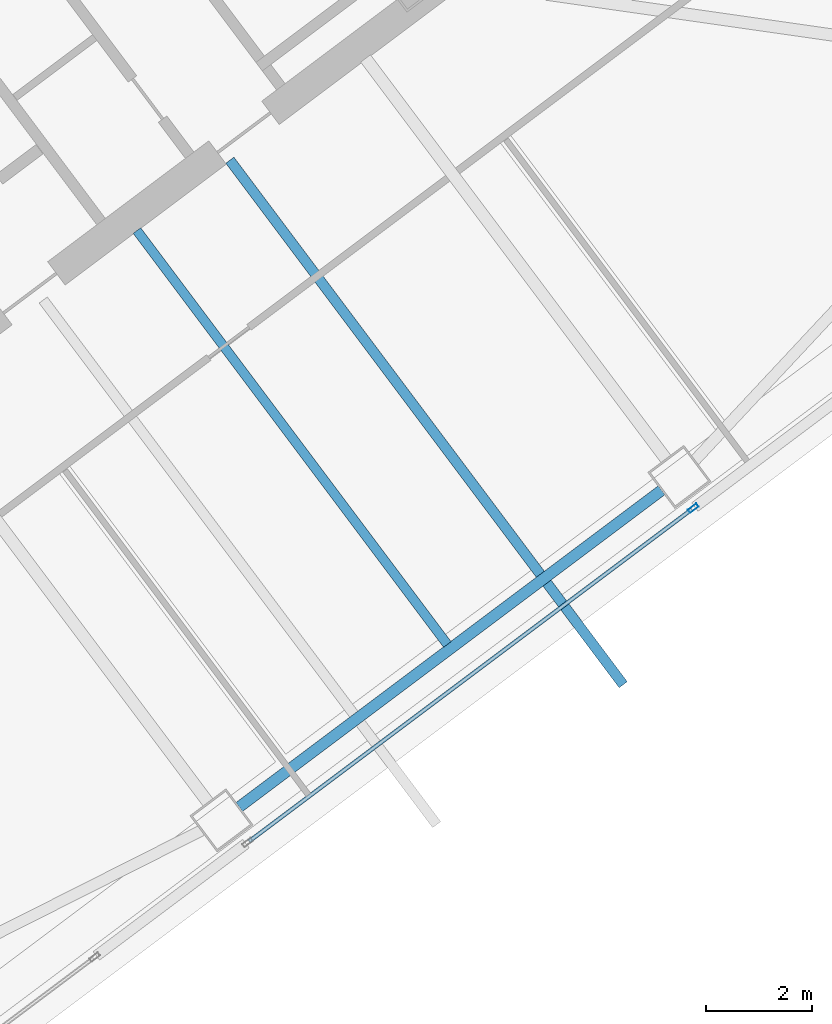
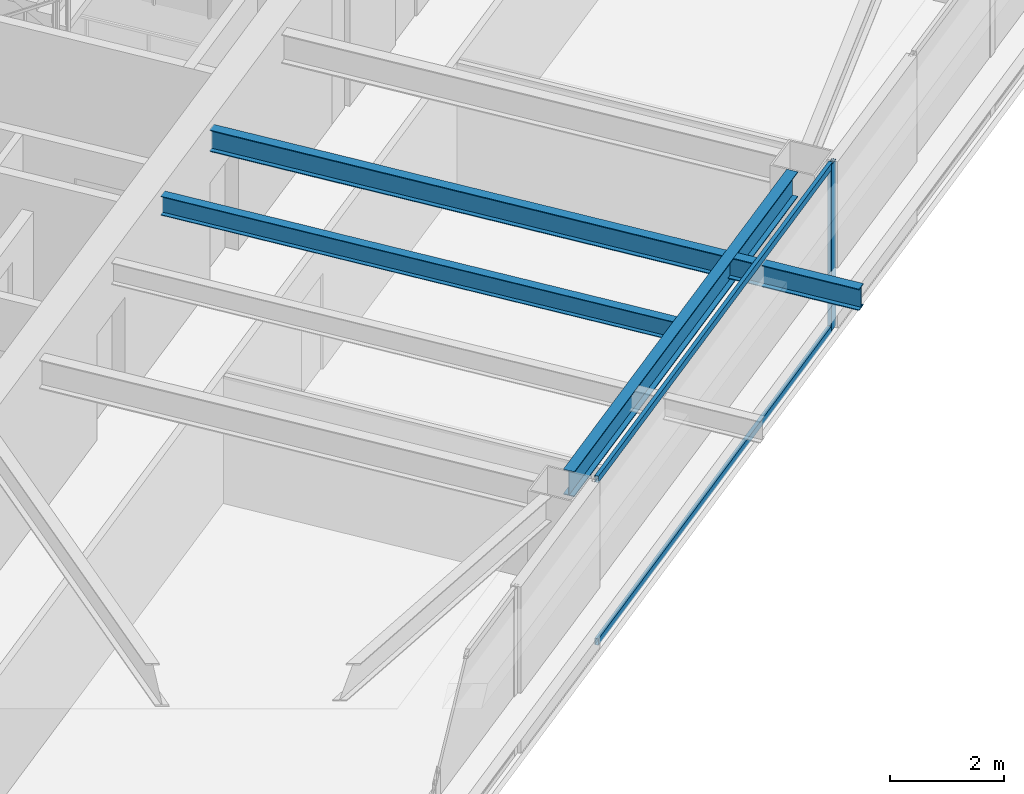
# One storey, part 24 of 46: 3 beams, 3 members, 1 element without a shape of its own.
"""IFC4 building model written with IfcOpenShell, lengths in metres."""

import ifcopenshell
import ifcopenshell.guid

model = None  # the IFC model being written
_history = None  # IfcOwnerHistory: only IFC2X3 demands one
_inside = {}  # id of a spatial element -> (the spatial element, [elements in it])
_under = {}  # id of a project, library or spatial element -> (it, [spatial elements below it])
_declared = {}  # id of a project -> (the project, [libraries it declares])
_typed = {}  # id of a type object -> (the type object, [elements of that type])
_made_of = {}  # id of a material, layer set ... -> (it, [elements and type objects made of it])


def new_model(schema):
    """Start an empty IFC model of exactly this schema.

    Asked for "IFC4X3", IfcOpenShell would pick the latest addendum, in which some entities
    have other attributes; the version numbers below select the first issue.
    IFC2X3 requires an IfcOwnerHistory on every rooted entity: one is made here for all.
    """
    global model, _history
    if schema == "IFC4X3":
        model = ifcopenshell.file(schema_version=(4, 3, 0, 0))
    else:
        model = ifcopenshell.file(schema=schema)
    _inside.clear()
    _under.clear()
    _declared.clear()
    _typed.clear()
    _made_of.clear()
    _history = None
    if model.schema == "IFC2X3":
        org = make("IfcOrganization", Name="unknown")
        user = make(
            "IfcPersonAndOrganization",
            ThePerson=make("IfcPerson", FamilyName="unknown"),
            TheOrganization=org,
        )
        app = make(
            "IfcApplication",
            ApplicationDeveloper=org,
            Version="unknown",
            ApplicationFullName="unknown",
            ApplicationIdentifier="unknown",
        )
        _history = make(
            "IfcOwnerHistory",
            OwningUser=user,
            OwningApplication=app,
            ChangeAction="ADDED",
            CreationDate=0,
        )
    return model


def make(cls, **values):
    """One entity of the class cls with the attributes given. An attribute that is None is left unset."""
    return model.create_entity(
        cls, **{name: value for name, value in values.items() if value is not None}
    )


def rooted(cls, **values):
    """An entity with a GlobalId (a new one), such as an element, a storey or a relation."""
    return make(cls, GlobalId=ifcopenshell.guid.new(), OwnerHistory=_history, **values)


def si_unit(unit_type, name, prefix=None):
    """IfcSIUnit, for example si_unit("LENGTHUNIT", "METRE", prefix="MILLI")."""
    return make("IfcSIUnit", UnitType=unit_type, Prefix=prefix, Name=name)


def assignment(units):
    """IfcUnitAssignment: the units of a project."""
    return None if units is None else make("IfcUnitAssignment", Units=units)


def point(xyz):
    """IfcCartesianPoint."""
    return None if xyz is None else make("IfcCartesianPoint", Coordinates=xyz)


def direction(xyz):
    """IfcDirection."""
    return None if xyz is None else make("IfcDirection", DirectionRatios=xyz)


def frame(location, z_axis=None, x_axis=None):
    """IfcAxis2Placement3D, a coordinate frame: its origin and axes. An axis left out is left unset."""
    return make(
        "IfcAxis2Placement3D",
        Location=point(location),
        Axis=direction(z_axis),
        RefDirection=direction(x_axis),
    )


def frame_2d(location, x_axis=None):
    """IfcAxis2Placement2D, a coordinate frame in the plane: its origin and x axis."""
    return make(
        "IfcAxis2Placement2D", Location=point(location), RefDirection=direction(x_axis)
    )


def origin():
    """The frame at (0, 0, 0) with its axes left unset."""
    return frame((0.0, 0.0, 0.0))


def origin_2d():
    """The frame at (0, 0) in the plane with its x axis left unset."""
    return frame_2d((0.0, 0.0))


def place(relative_to, where):
    """IfcLocalPlacement: puts the frame where relative to a parent placement (None: the world)."""
    return make(
        "IfcLocalPlacement", PlacementRelTo=relative_to, RelativePlacement=where
    )


def context(
    kind, dimensions, precision=None, world=None, true_north=None, identifier=None
):
    """IfcGeometricRepresentationContext, for example the 3D "Model" context."""
    return make(
        "IfcGeometricRepresentationContext",
        ContextIdentifier=identifier,
        ContextType=kind,
        CoordinateSpaceDimension=dimensions,
        Precision=precision,
        WorldCoordinateSystem=world,
        TrueNorth=true_north,
    )


def subcontext(parent, identifier, kind, view, scale=None):
    """IfcGeometricRepresentationSubContext, for example "Body" below "Model"."""
    return make(
        "IfcGeometricRepresentationSubContext",
        ContextIdentifier=identifier,
        ContextType=kind,
        ParentContext=parent,
        TargetScale=scale,
        TargetView=view,
    )


def project(units=None, contexts=None):
    """IfcProject with its units and contexts."""
    return rooted(
        "IfcProject",
        Name="project",
        RepresentationContexts=contexts,
        UnitsInContext=assignment(units),
    )


def spatial(cls, under=None, at=None, **own):
    """A site, building, storey or space (cls), placed at a placement, below another one or the project."""
    s = rooted(cls, ObjectPlacement=at, **own)
    if under is not None:
        _under.setdefault(under.id(), (under, []))[1].append(s)
    return s


def profile(cls, at=None, kind="AREA", **sizes):
    """A parametric profile (cls). Its sizes go by their IFC names, for example OverallWidth=200.0."""
    return make(cls, ProfileType=kind, Position=at, **sizes)


def hollow_rectangle(**sizes):
    """IfcRectangleHollowProfileDef."""
    return profile("IfcRectangleHollowProfileDef", **sizes)


def i_section(**sizes):
    """IfcIShapeProfileDef."""
    return profile("IfcIShapeProfileDef", **sizes)


def extrude(swept, where, along, depth):
    """IfcExtrudedAreaSolid: the profile swept, set in the frame where, extruded along a direction by depth."""
    return make(
        "IfcExtrudedAreaSolid",
        SweptArea=swept,
        Position=where,
        ExtrudedDirection=direction(along),
        Depth=depth,
    )


def shape(context_of_items, identifier, shape_type, items):
    """IfcShapeRepresentation: the items that make up one representation, for example the "Body"."""
    return make(
        "IfcShapeRepresentation",
        ContextOfItems=context_of_items,
        RepresentationIdentifier=identifier,
        RepresentationType=shape_type,
        Items=items,
    )


def material(Name=None, Category=None):
    """IfcMaterial."""
    return make("IfcMaterial", Name=Name, Category=Category)


def material_profile(
    of_material, cross_section, Name=None, Category=None, Priority=None
):
    """IfcMaterialProfile: a cross section and its material."""
    return make(
        "IfcMaterialProfile",
        Name=Name,
        Material=of_material,
        Profile=cross_section,
        Priority=Priority,
        Category=Category,
    )


def profile_set(profiles, Name=None, composite=None):
    """IfcMaterialProfileSet."""
    return make(
        "IfcMaterialProfileSet",
        Name=Name,
        MaterialProfiles=profiles,
        CompositeProfile=composite,
    )


def made_of(thing, what):
    """Note that an element or type object is made of a material, layer set ...; save() writes the relation."""
    if what is not None:
        _made_of.setdefault(what.id(), (what, []))[1].append(thing)
    return thing


def type_object(cls, material=None, **own):
    """A type object (cls), such as IfcWallType, which elements share."""
    return made_of(rooted(cls, **own), material)


def element(
    cls,
    number,
    at=None,
    inside=None,
    cuts=None,
    type_object=None,
    material=None,
    context=None,
    identifier="Body",
    shape_type=None,
    held_by="IfcProductDefinitionShape",
    body=None,
    shapes=None,
    **own,
):
    """One element of the class cls, such as IfcWall. Its Tag is "e" and its number.

    at: its placement. inside: the storey or other place that contains it. cuts: it is an
    opening in that element (IfcRelVoidsElement). A single representation is given by context,
    identifier, shape_type and body (its items); several are given by shapes. held_by: the class
    of the entity that holds the representations. save() writes the other relations.
    """
    e = rooted(cls, Tag="e%d" % number, ObjectPlacement=at, **own)
    if body is not None:
        shapes = [shape(context, identifier, shape_type, body)]
    if shapes is not None:
        e.Representation = make(held_by, Representations=shapes)
    if inside is not None:
        _inside.setdefault(inside.id(), (inside, []))[1].append(e)
    if cuts is not None:
        rooted(
            "IfcRelVoidsElement", RelatingBuildingElement=cuts, RelatedOpeningElement=e
        )
    if type_object is not None:
        _typed.setdefault(type_object.id(), (type_object, []))[1].append(e)
    return made_of(e, material)


def aggregate(whole, parts):
    """IfcRelAggregates: a whole, such as a stair, and the parts it consists of."""
    return rooted("IfcRelAggregates", RelatingObject=whole, RelatedObjects=parts)


def save(model, path):
    """Write the relations noted so far, then the file.

    IfcRelAggregates (storeys below a building ...), IfcRelContainedInSpatialStructure (elements
    in a storey), IfcRelDefinesByType, IfcRelAssociatesMaterial and IfcRelDeclares: one each for
    every whole, place, type object, material and project.
    """
    for whole, parts in _under.values():
        aggregate(whole, parts)
    for where, things in _inside.values():
        rooted(
            "IfcRelContainedInSpatialStructure",
            RelatedElements=things,
            RelatingStructure=where,
        )
    for kind, things in _typed.values():
        rooted("IfcRelDefinesByType", RelatedObjects=things, RelatingType=kind)
    for what, things in _made_of.values():
        rooted("IfcRelAssociatesMaterial", RelatedObjects=things, RelatingMaterial=what)
    for by, libraries in _declared.values():
        rooted("IfcRelDeclares", RelatingContext=by, RelatedDefinitions=libraries)
    model.write(path)


model = new_model("IFC4")

# Units and contexts
model_context = context("Model", 3, precision=1e-05, world=origin(), true_north=direction((0.0, 1.0)))
body_context = subcontext(model_context, "Body", "Model", "MODEL_VIEW")
ifc_project = project(units=[si_unit("LENGTHUNIT", "METRE"), si_unit("AREAUNIT", "SQUARE_METRE"), si_unit("VOLUMEUNIT", "CUBIC_METRE"), si_unit("PLANEANGLEUNIT", "RADIAN"), si_unit("MASSUNIT", "GRAM", prefix="KILO")], contexts=[model_context])

# Site, building, storey
site_placement = place(None, origin())
site = spatial("IfcSite", under=ifc_project, at=site_placement, CompositionType="ELEMENT")
building_placement = place(site_placement, origin())
building = spatial("IfcBuilding", under=site, at=building_placement, Name="Tashvorn Skyway Center", CompositionType="ELEMENT")
storey_placement = place(building_placement, frame((0.0, 0.0, 132.14990234375)))
storey = spatial("IfcBuildingStorey", under=building, at=storey_placement, Name="L35", CompositionType="ELEMENT", Elevation=132.14990234375)

# Beams
ifc_material_1 = material(Name="Steel ASTM A992 Grade 50", Category="steel")
ifc_material_profile_1 = material_profile(ifc_material_1, i_section(OverallWidth=0.177978515625, OverallDepth=0.406005859375, WebThickness=0.0078125, FlangeThickness=0.0126953125, at=origin_2d()), Name="W16X40")
ifc_profile_set_1 = profile_set([ifc_material_profile_1], Name="Steel ASTM A992 Grade 50")
beam_type_1 = type_object("IfcBeamType", Name="BM-JOIST-W16X40", PredefinedType="JOIST", material=ifc_profile_set_1)
beam_1_placement = place(storey_placement, frame((118.674072265625, 25.76806640625, 3.1669921875), z_axis=(0.599991997409, -0.800006001881, 0.0), x_axis=(0.800006001881, 0.599991997409, 0.0)))
element("IfcBeam", 1, at=beam_1_placement, inside=storey, type_object=beam_type_1, Name="Tower 2 L35 Secondary Composite Joist JS", PredefinedType="JOIST", context=body_context, shape_type="SweptSolid", body=[
    extrude(i_section(OverallWidth=0.177978515625, OverallDepth=0.406005859375, WebThickness=0.0078125, FlangeThickness=0.0126953125, at=origin_2d()), origin(), (0.0, 0.0, 1.0), 9.762451171875),
])
ifc_material_profile_2 = material_profile(ifc_material_1, i_section(OverallWidth=0.19091796875, OverallDepth=0.4599609375, WebThickness=0.010009765625, FlangeThickness=0.01611328125, at=origin_2d()), Name="W18X55")
ifc_profile_set_2 = profile_set([ifc_material_profile_2], Name="Steel ASTM A992 Grade 50")
beam_type_2 = type_object("IfcBeamType", Name="BM-JOIST-W18X55", PredefinedType="JOIST", material=ifc_profile_set_2)
beam_2_placement = place(storey_placement, frame((120.427978515625, 27.095947265625, 3.14013671875), z_axis=(0.60000631563, -0.799995263239, 0.0), x_axis=(0.799995263239, 0.60000631563, 0.0)))
element("IfcBeam", 2, at=beam_2_placement, inside=storey, type_object=beam_type_2, Name="Tower 2 L36 Terrace Cantilever Outlooker 2", PredefinedType="JOIST", context=body_context, shape_type="SweptSolid", body=[
    extrude(i_section(OverallWidth=0.19091796875, OverallDepth=0.4599609375, WebThickness=0.010009765625, FlangeThickness=0.01611328125, at=origin_2d()), origin(), (0.0, 0.0, 1.0), 12.3701171875),
])
ifc_material_profile_3 = material_profile(ifc_material_1, i_section(OverallWidth=0.2109375, OverallDepth=0.5390625, WebThickness=0.01171875, FlangeThickness=0.018798828125, at=origin_2d()), Name="W21X73")
ifc_profile_set_3 = profile_set([ifc_material_profile_3], Name="Steel ASTM A992 Grade 50")
beam_type_3 = type_object("IfcBeamType", Name="BM-SPANDREL-W21X73", PredefinedType="SPANDREL", material=ifc_profile_set_3)
beam_3_placement = place(storey_placement, frame((120.60595703125, 14.89208984375, 3.1005859375), z_axis=(0.800008824351, 0.599988234018, 0.0), x_axis=(-0.599988234018, 0.800008824351, 0.0)))
element("IfcBeam", 3, at=beam_3_placement, inside=storey, type_object=beam_type_3, Name="Tower 2 L35 Spandrel Beam 02", PredefinedType="SPANDREL", context=body_context, shape_type="SweptSolid", body=[
    extrude(i_section(OverallWidth=0.2109375, OverallDepth=0.5390625, WebThickness=0.01171875, FlangeThickness=0.018798828125, at=origin_2d()), origin(), (0.0, 0.0, 1.0), 9.9599609375),
])

# Curtain wall, members
ifc_material_2 = material(Name="Thermally broken bronze-anodized aluminium 6063-T6", Category="aluminium")
curtain_wall_type = type_object("IfcCurtainWallType", Name="CW-CW-Z3", PredefinedType="NOTDEFINED", material=ifc_material_2)
curtain_wall_placement = place(storey_placement, origin())
curtain_wall = element("IfcCurtainWall", 4, at=curtain_wall_placement, inside=storey, type_object=curtain_wall_type, Name="Tower 2 L35 South Unitised Curtain Wall Glazing Group 2", PredefinedType="NOTDEFINED")
ifc_material_profile_4 = material_profile(ifc_material_2, hollow_rectangle(XDim=0.074951171875, YDim=0.199951171875, WallThickness=0.00439453125, at=origin_2d()), Name="ALU-MULL-75x200")
ifc_profile_set_4 = profile_set([ifc_material_profile_4], Name="Thermally broken bronze-anodized aluminium 6063-T6")
member_type_1 = type_object("IfcMemberType", Name="CWM-CW-Z3", PredefinedType="MULLION", material=ifc_profile_set_4)
member_1_placement = place(storey_placement, frame((129.172607421875, 20.529541015625, 0.0), z_axis=(0.0, 0.0, 1.0), x_axis=(0.599996977339, -0.800002266987, 0.0)))
member_1 = element("IfcMember", 5, at=member_1_placement, type_object=member_type_1, Name="CW-Z3 mullion 1", PredefinedType="MULLION", context=body_context, shape_type="SweptSolid", body=[
    extrude(hollow_rectangle(XDim=0.074951171875, YDim=0.199951171875, WallThickness=0.00439453125, at=origin_2d()), origin(), (0.0, 0.0, 1.0), 3.550048828125),
])
ifc_material_profile_5 = material_profile(ifc_material_2, hollow_rectangle(XDim=0.074951171875, YDim=0.139892578125, WallThickness=0.004150390625, at=origin_2d()), Name="ALU-TRAN-75x140")
ifc_profile_set_5 = profile_set([ifc_material_profile_5], Name="Thermally broken bronze-anodized aluminium 6063-T6")
member_type_2 = type_object("IfcMemberType", Name="CWT-CW-Z3", PredefinedType="USERDEFINED", material=ifc_profile_set_5)
member_2_placement = place(storey_placement, frame((129.142578125, 20.507080078125, 0.03759765625), z_axis=(-0.800002807101, -0.599996257181, 0.0), x_axis=(0.599996257181, -0.800002807101, 0.0)))
member_2 = element("IfcMember", 6, at=member_2_placement, type_object=member_type_2, Name="CW-Z3 transom 1.1", ObjectType="TRANSOM", PredefinedType="USERDEFINED", context=body_context, shape_type="SweptSolid", body=[
    extrude(hollow_rectangle(XDim=0.074951171875, YDim=0.139892578125, WallThickness=0.004150390625, at=origin_2d()), origin(), (0.0, 0.0, 1.0), 10.436767578125),
])
member_3_placement = place(storey_placement, frame((129.142578125, 20.507080078125, 3.5126953125), z_axis=(-0.800002807101, -0.599996257181, 0.0), x_axis=(0.599996257181, -0.800002807101, 0.0)))
member_3 = element("IfcMember", 7, at=member_3_placement, type_object=member_type_2, Name="CW-Z3 transom 1.2", ObjectType="TRANSOM", PredefinedType="USERDEFINED", context=body_context, shape_type="SweptSolid", body=[
    extrude(hollow_rectangle(XDim=0.074951171875, YDim=0.139892578125, WallThickness=0.004150390625, at=origin_2d()), origin(), (0.0, 0.0, 1.0), 10.436767578125),
])
aggregate(curtain_wall, [member_1, member_2, member_3])

save(model, "model.ifc")
